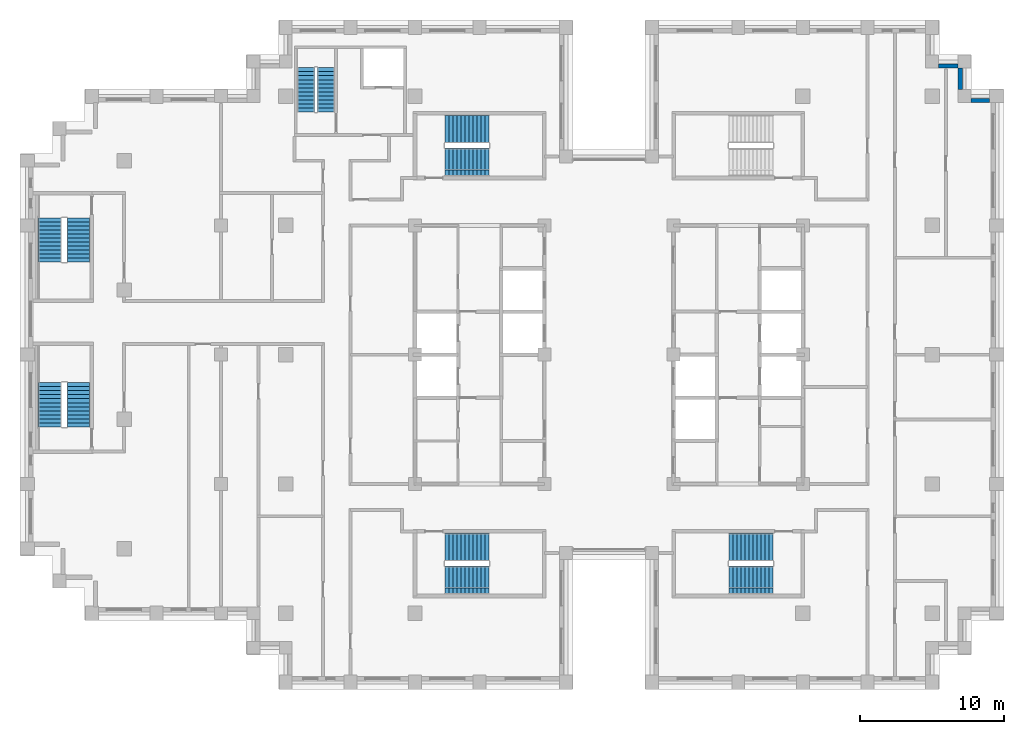
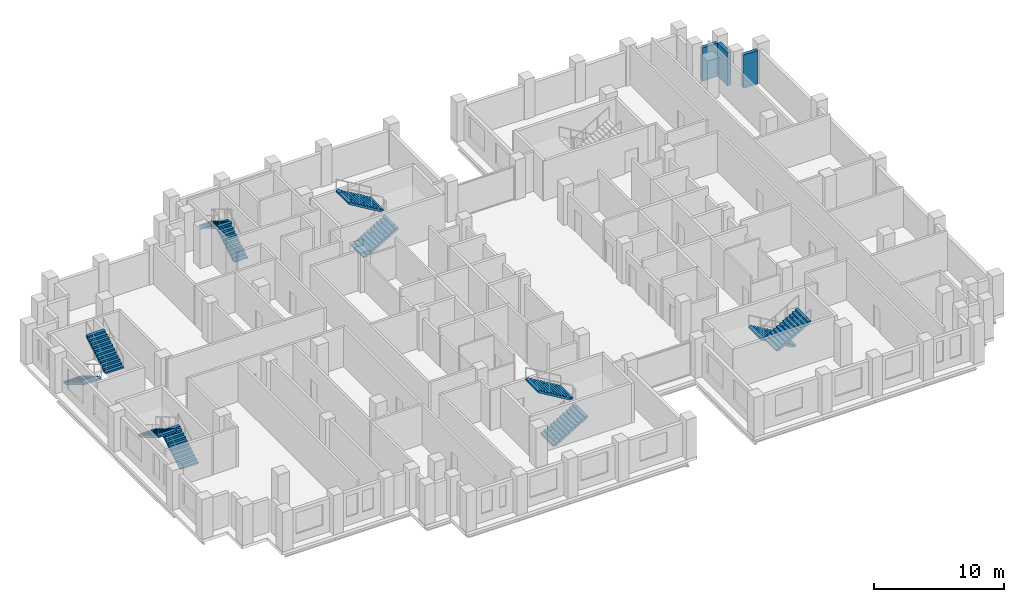
# One storey, part 12 of 15: 12 stair flights, 3 walls, 6 elements without a shape of their own.
"""IFC4 building model written with IfcOpenShell, lengths in metres."""

from ifc_helpers import new_model, si_unit, direction, frame, frame_2d, origin, place, context, subcontext, project, spatial, polyline, rectangle, outline, extrude, material, layer, layer_set, type_object, element, aggregate, save


model = new_model("IFC4")

# Units and contexts
model_context = context("Model", 3, precision=1e-05, world=origin(), true_north=direction((0.0, 1.0)))
body_context = subcontext(model_context, "Body", "Model", "MODEL_VIEW")
ifc_project = project(units=[si_unit("LENGTHUNIT", "METRE"), si_unit("AREAUNIT", "SQUARE_METRE"), si_unit("VOLUMEUNIT", "CUBIC_METRE"), si_unit("PLANEANGLEUNIT", "RADIAN"), si_unit("MASSUNIT", "GRAM", prefix="KILO")], contexts=[model_context])

# Site, building, storey
site_placement = place(None, origin())
site = spatial("IfcSite", under=ifc_project, at=site_placement, CompositionType="ELEMENT")
building_placement = place(site_placement, origin())
building = spatial("IfcBuilding", under=site, at=building_placement, Name="Corbelhall Arena Tower", CompositionType="ELEMENT")
storey_placement = place(building_placement, frame((0.0, 0.0, 196.0)))
storey = spatial("IfcBuildingStorey", under=building, at=storey_placement, Name="L40", CompositionType="ELEMENT", Elevation=196.0)

# Walls
ifc_material_1 = material(Name="Precast concrete C40/50 with granite facing", Category="masonry")
ifc_layer = layer(ifc_material_1, 0.300048828125)
ifc_layer_set = layer_set([ifc_layer], Name="EV-IW1 Infill panel 300")
wall_type = type_object("IfcWallType", Name="EV-IW1 Infill panel 300", PredefinedType="SOLIDWALL", material=ifc_layer_set)
wall_1_placement = place(storey_placement, frame((26.5, 17.699951171875, 0.0), z_axis=(0.0, 0.0, 1.0), x_axis=(-1.0, 0.0, 0.0)))
element("IfcWall", 1, at=wall_1_placement, inside=storey, type_object=wall_type, Name="Infill panel IW1", PredefinedType="SOLIDWALL", context=body_context, shape_type="SweptSolid", body=[
    extrude(rectangle(XDim=1.300048828125, YDim=0.300048828125, at=frame_2d((0.64990234375, 0.0))), origin(), (0.0, 0.0, 1.0), 3.1201171875),
])
wall_2_placement = place(storey_placement, frame((24.449951171875, 18.449951171875, 0.0), z_axis=(0.0, 0.0, 1.0), x_axis=(0.0, 1.0, 0.0)))
element("IfcWall", 2, at=wall_2_placement, inside=storey, type_object=wall_type, Name="Infill panel IW1", PredefinedType="SOLIDWALL", context=body_context, shape_type="SweptSolid", body=[
    extrude(rectangle(XDim=1.5, YDim=0.300048828125, at=frame_2d((0.75, 0.0))), origin(), (0.0, 0.0, 1.0), 3.1201171875),
])
wall_3_placement = place(storey_placement, frame((24.300048828125, 20.10009765625, 0.0), z_axis=(0.0, 0.0, 1.0), x_axis=(-1.0, 0.0, 0.0)))
element("IfcWall", 3, at=wall_3_placement, inside=storey, type_object=wall_type, Name="Infill panel IW1", PredefinedType="SOLIDWALL", context=body_context, shape_type="SweptSolid", body=[
    extrude(rectangle(XDim=1.35009765625, YDim=0.300048828125, at=frame_2d((0.675048828125, 0.0))), origin(), (0.0, 0.0, 1.0), 3.1201171875),
])

# Stair, stair flights
ifc_material_2 = material(Name="Concrete C40/50", Category="concrete")
stair_type = type_object("IfcStairType", Name="IN-ST-TOWER", PredefinedType="HALF_TURN_STAIR", material=ifc_material_2)
stair_1_placement = place(storey_placement, origin())
stair_1 = element("IfcStair", 4, at=stair_1_placement, inside=storey, type_object=stair_type, Name="L40 Exit stair ST1", PredefinedType="HALF_TURN_STAIR")
stair_flight_type = type_object("IfcStairFlightType", Name="IN-SFL-RC", PredefinedType="STRAIGHT", material=ifc_material_2)
stair_flight_1_placement = place(storey_placement, frame((-11.425048828125, 13.39990234375, 0.0), z_axis=(0.0, 0.0, 1.0), x_axis=(1.0, 0.0, 0.0)))
stair_flight_1 = element("IfcStairFlight", 5, at=stair_flight_1_placement, type_object=stair_flight_type, Name="ST1 flight 1", NumberOfRisers=12, NumberOfTreads=11, PredefinedType="STRAIGHT", RiserHeight=0.166666667, TreadLength=0.28, context=body_context, shape_type="SweptSolid", body=[
    extrude(outline(polyline([(0.0, 0.0), (0.0, 0.166748046875), (0.280029296875, 0.166748046875), (0.280029296875, 0.333251953125), (0.56005859375, 0.333251953125), (0.56005859375, 0.5), (0.840087890625, 0.5), (0.840087890625, 0.666748046875), (1.1201171875, 0.666748046875), (1.1201171875, 0.833251953125), (1.39990234375, 0.833251953125), (1.39990234375, 1.0), (1.679931640625, 1.0), (1.679931640625, 1.166748046875), (1.9599609375, 1.166748046875), (1.9599609375, 1.333251953125), (2.239990234375, 1.333251953125), (2.239990234375, 1.5), (2.52001953125, 1.5), (2.52001953125, 1.666748046875), (2.800048828125, 1.666748046875), (2.800048828125, 1.833251953125), (3.080078125, 1.833251953125), (3.080078125, 2.0), (3.080078125, 1.658935546875), (0.29296875, 0.0), (0.0, 0.0)])), frame((0.0, 0.97509765625, 0.0), z_axis=(0.0, -1.0, 0.0), x_axis=(1.0, 0.0, 0.0)), (0.0, 0.0, 1.0), 0.449951171875),
    extrude(outline(polyline([(0.0, 0.0), (0.0, 0.166748046875), (0.280029296875, 0.166748046875), (0.280029296875, 0.333251953125), (0.56005859375, 0.333251953125), (0.56005859375, 0.5), (0.840087890625, 0.5), (0.840087890625, 0.666748046875), (1.1201171875, 0.666748046875), (1.1201171875, 0.833251953125), (1.39990234375, 0.833251953125), (1.39990234375, 1.0), (1.679931640625, 1.0), (1.679931640625, 1.166748046875), (1.9599609375, 1.166748046875), (1.9599609375, 1.333251953125), (2.239990234375, 1.333251953125), (2.239990234375, 1.5), (2.52001953125, 1.5), (2.52001953125, 1.666748046875), (2.800048828125, 1.666748046875), (2.800048828125, 1.833251953125), (3.080078125, 1.833251953125), (3.080078125, 2.0), (3.080078125, 1.658935546875), (0.29296875, 0.0), (0.0, 0.0)])), frame((0.0, 0.52099609375, 0.0), z_axis=(0.0, -1.0, 0.0), x_axis=(1.0, 0.0, 0.0)), (0.0, 0.0, 1.0), 1.0419921875),
    extrude(outline(polyline([(0.0, 0.0), (0.0, 0.166748046875), (0.280029296875, 0.166748046875), (0.280029296875, 0.333251953125), (0.56005859375, 0.333251953125), (0.56005859375, 0.5), (0.840087890625, 0.5), (0.840087890625, 0.666748046875), (1.1201171875, 0.666748046875), (1.1201171875, 0.833251953125), (1.39990234375, 0.833251953125), (1.39990234375, 1.0), (1.679931640625, 1.0), (1.679931640625, 1.166748046875), (1.9599609375, 1.166748046875), (1.9599609375, 1.333251953125), (2.239990234375, 1.333251953125), (2.239990234375, 1.5), (2.52001953125, 1.5), (2.52001953125, 1.666748046875), (2.800048828125, 1.666748046875), (2.800048828125, 1.833251953125), (3.080078125, 1.833251953125), (3.080078125, 2.0), (3.080078125, 1.658935546875), (0.29296875, 0.0), (0.0, 0.0)])), frame((0.0, -0.52490234375, 0.0), z_axis=(0.0, -1.0, 0.0), x_axis=(1.0, 0.0, 0.0)), (0.0, 0.0, 1.0), 0.449951171875),
])
stair_flight_2_placement = place(storey_placement, frame((-8.344970703125, 15.699951171875, 2.0), z_axis=(0.0, 0.0, 1.0), x_axis=(-1.0, 0.0, 0.0)))
stair_flight_2 = element("IfcStairFlight", 6, at=stair_flight_2_placement, type_object=stair_flight_type, Name="ST1 flight 2", NumberOfRisers=12, NumberOfTreads=11, PredefinedType="STRAIGHT", RiserHeight=0.166666667, TreadLength=0.28, context=body_context, shape_type="SweptSolid", body=[
    extrude(outline(polyline([(0.0, 0.0), (0.0, 0.166748046875), (0.280029296875, 0.166748046875), (0.280029296875, 0.333251953125), (0.56005859375, 0.333251953125), (0.56005859375, 0.5), (0.840087890625, 0.5), (0.840087890625, 0.666748046875), (1.1201171875, 0.666748046875), (1.1201171875, 0.833251953125), (1.39990234375, 0.833251953125), (1.39990234375, 1.0), (1.679931640625, 1.0), (1.679931640625, 1.166748046875), (1.9599609375, 1.166748046875), (1.9599609375, 1.333251953125), (2.239990234375, 1.333251953125), (2.239990234375, 1.5), (2.52001953125, 1.5), (2.52001953125, 1.666748046875), (2.800048828125, 1.666748046875), (2.800048828125, 1.833251953125), (3.080078125, 1.833251953125), (3.080078125, 2.0), (3.080078125, 1.658935546875), (0.29296875, 0.0), (0.0, 0.0)])), frame((0.0, 0.97509765625, 0.0), z_axis=(0.0, -1.0, 0.0), x_axis=(1.0, 0.0, 0.0)), (0.0, 0.0, 1.0), 0.449951171875),
    extrude(outline(polyline([(0.0, 0.0), (0.0, 0.166748046875), (0.280029296875, 0.166748046875), (0.280029296875, 0.333251953125), (0.56005859375, 0.333251953125), (0.56005859375, 0.5), (0.840087890625, 0.5), (0.840087890625, 0.666748046875), (1.1201171875, 0.666748046875), (1.1201171875, 0.833251953125), (1.39990234375, 0.833251953125), (1.39990234375, 1.0), (1.679931640625, 1.0), (1.679931640625, 1.166748046875), (1.9599609375, 1.166748046875), (1.9599609375, 1.333251953125), (2.239990234375, 1.333251953125), (2.239990234375, 1.5), (2.52001953125, 1.5), (2.52001953125, 1.666748046875), (2.800048828125, 1.666748046875), (2.800048828125, 1.833251953125), (3.080078125, 1.833251953125), (3.080078125, 2.0), (3.080078125, 1.658935546875), (0.29296875, 0.0), (0.0, 0.0)])), frame((0.0, 0.52099609375, 0.0), z_axis=(0.0, -1.0, 0.0), x_axis=(1.0, 0.0, 0.0)), (0.0, 0.0, 1.0), 1.0419921875),
    extrude(outline(polyline([(0.0, 0.0), (0.0, 0.166748046875), (0.280029296875, 0.166748046875), (0.280029296875, 0.333251953125), (0.56005859375, 0.333251953125), (0.56005859375, 0.5), (0.840087890625, 0.5), (0.840087890625, 0.666748046875), (1.1201171875, 0.666748046875), (1.1201171875, 0.833251953125), (1.39990234375, 0.833251953125), (1.39990234375, 1.0), (1.679931640625, 1.0), (1.679931640625, 1.166748046875), (1.9599609375, 1.166748046875), (1.9599609375, 1.333251953125), (2.239990234375, 1.333251953125), (2.239990234375, 1.5), (2.52001953125, 1.5), (2.52001953125, 1.666748046875), (2.800048828125, 1.666748046875), (2.800048828125, 1.833251953125), (3.080078125, 1.833251953125), (3.080078125, 2.0), (3.080078125, 1.658935546875), (0.29296875, 0.0), (0.0, 0.0)])), frame((0.0, -0.52490234375, 0.0), z_axis=(0.0, -1.0, 0.0), x_axis=(1.0, 0.0, 0.0)), (0.0, 0.0, 1.0), 0.449951171875),
])
aggregate(stair_1, [stair_flight_1, stair_flight_2])

stair_2_placement = place(storey_placement, origin())
stair_2 = element("IfcStair", 7, at=stair_2_placement, inside=storey, type_object=stair_type, Name="L40 Exit stair ST2", PredefinedType="HALF_TURN_STAIR")
stair_flight_3_placement = place(storey_placement, frame((-11.425048828125, -15.699951171875, 0.0), z_axis=(0.0, 0.0, 1.0), x_axis=(1.0, 0.0, 0.0)))
stair_flight_3 = element("IfcStairFlight", 8, at=stair_flight_3_placement, type_object=stair_flight_type, Name="ST2 flight 1", NumberOfRisers=12, NumberOfTreads=11, PredefinedType="STRAIGHT", RiserHeight=0.166666667, TreadLength=0.28, context=body_context, shape_type="SweptSolid", body=[
    extrude(outline(polyline([(0.0, 0.0), (0.0, 0.166748046875), (0.280029296875, 0.166748046875), (0.280029296875, 0.333251953125), (0.56005859375, 0.333251953125), (0.56005859375, 0.5), (0.840087890625, 0.5), (0.840087890625, 0.666748046875), (1.1201171875, 0.666748046875), (1.1201171875, 0.833251953125), (1.39990234375, 0.833251953125), (1.39990234375, 1.0), (1.679931640625, 1.0), (1.679931640625, 1.166748046875), (1.9599609375, 1.166748046875), (1.9599609375, 1.333251953125), (2.239990234375, 1.333251953125), (2.239990234375, 1.5), (2.52001953125, 1.5), (2.52001953125, 1.666748046875), (2.800048828125, 1.666748046875), (2.800048828125, 1.833251953125), (3.080078125, 1.833251953125), (3.080078125, 2.0), (3.080078125, 1.658935546875), (0.29296875, 0.0), (0.0, 0.0)])), frame((0.0, 0.97509765625, 0.0), z_axis=(0.0, -1.0, 0.0), x_axis=(1.0, 0.0, 0.0)), (0.0, 0.0, 1.0), 0.449951171875),
    extrude(outline(polyline([(0.0, 0.0), (0.0, 0.166748046875), (0.280029296875, 0.166748046875), (0.280029296875, 0.333251953125), (0.56005859375, 0.333251953125), (0.56005859375, 0.5), (0.840087890625, 0.5), (0.840087890625, 0.666748046875), (1.1201171875, 0.666748046875), (1.1201171875, 0.833251953125), (1.39990234375, 0.833251953125), (1.39990234375, 1.0), (1.679931640625, 1.0), (1.679931640625, 1.166748046875), (1.9599609375, 1.166748046875), (1.9599609375, 1.333251953125), (2.239990234375, 1.333251953125), (2.239990234375, 1.5), (2.52001953125, 1.5), (2.52001953125, 1.666748046875), (2.800048828125, 1.666748046875), (2.800048828125, 1.833251953125), (3.080078125, 1.833251953125), (3.080078125, 2.0), (3.080078125, 1.658935546875), (0.29296875, 0.0), (0.0, 0.0)])), frame((0.0, 0.52099609375, 0.0), z_axis=(0.0, -1.0, 0.0), x_axis=(1.0, 0.0, 0.0)), (0.0, 0.0, 1.0), 1.0419921875),
    extrude(outline(polyline([(0.0, 0.0), (0.0, 0.166748046875), (0.280029296875, 0.166748046875), (0.280029296875, 0.333251953125), (0.56005859375, 0.333251953125), (0.56005859375, 0.5), (0.840087890625, 0.5), (0.840087890625, 0.666748046875), (1.1201171875, 0.666748046875), (1.1201171875, 0.833251953125), (1.39990234375, 0.833251953125), (1.39990234375, 1.0), (1.679931640625, 1.0), (1.679931640625, 1.166748046875), (1.9599609375, 1.166748046875), (1.9599609375, 1.333251953125), (2.239990234375, 1.333251953125), (2.239990234375, 1.5), (2.52001953125, 1.5), (2.52001953125, 1.666748046875), (2.800048828125, 1.666748046875), (2.800048828125, 1.833251953125), (3.080078125, 1.833251953125), (3.080078125, 2.0), (3.080078125, 1.658935546875), (0.29296875, 0.0), (0.0, 0.0)])), frame((0.0, -0.52490234375, 0.0), z_axis=(0.0, -1.0, 0.0), x_axis=(1.0, 0.0, 0.0)), (0.0, 0.0, 1.0), 0.449951171875),
])
stair_flight_4_placement = place(storey_placement, frame((-8.344970703125, -13.39990234375, 2.0), z_axis=(0.0, 0.0, 1.0), x_axis=(-1.0, 0.0, 0.0)))
stair_flight_4 = element("IfcStairFlight", 9, at=stair_flight_4_placement, type_object=stair_flight_type, Name="ST2 flight 2", NumberOfRisers=12, NumberOfTreads=11, PredefinedType="STRAIGHT", RiserHeight=0.166666667, TreadLength=0.28, context=body_context, shape_type="SweptSolid", body=[
    extrude(outline(polyline([(0.0, 0.0), (0.0, 0.166748046875), (0.280029296875, 0.166748046875), (0.280029296875, 0.333251953125), (0.56005859375, 0.333251953125), (0.56005859375, 0.5), (0.840087890625, 0.5), (0.840087890625, 0.666748046875), (1.1201171875, 0.666748046875), (1.1201171875, 0.833251953125), (1.39990234375, 0.833251953125), (1.39990234375, 1.0), (1.679931640625, 1.0), (1.679931640625, 1.166748046875), (1.9599609375, 1.166748046875), (1.9599609375, 1.333251953125), (2.239990234375, 1.333251953125), (2.239990234375, 1.5), (2.52001953125, 1.5), (2.52001953125, 1.666748046875), (2.800048828125, 1.666748046875), (2.800048828125, 1.833251953125), (3.080078125, 1.833251953125), (3.080078125, 2.0), (3.080078125, 1.658935546875), (0.29296875, 0.0), (0.0, 0.0)])), frame((0.0, 0.97509765625, 0.0), z_axis=(0.0, -1.0, 0.0), x_axis=(1.0, 0.0, 0.0)), (0.0, 0.0, 1.0), 0.449951171875),
    extrude(outline(polyline([(0.0, 0.0), (0.0, 0.166748046875), (0.280029296875, 0.166748046875), (0.280029296875, 0.333251953125), (0.56005859375, 0.333251953125), (0.56005859375, 0.5), (0.840087890625, 0.5), (0.840087890625, 0.666748046875), (1.1201171875, 0.666748046875), (1.1201171875, 0.833251953125), (1.39990234375, 0.833251953125), (1.39990234375, 1.0), (1.679931640625, 1.0), (1.679931640625, 1.166748046875), (1.9599609375, 1.166748046875), (1.9599609375, 1.333251953125), (2.239990234375, 1.333251953125), (2.239990234375, 1.5), (2.52001953125, 1.5), (2.52001953125, 1.666748046875), (2.800048828125, 1.666748046875), (2.800048828125, 1.833251953125), (3.080078125, 1.833251953125), (3.080078125, 2.0), (3.080078125, 1.658935546875), (0.29296875, 0.0), (0.0, 0.0)])), frame((0.0, 0.52099609375, 0.0), z_axis=(0.0, -1.0, 0.0), x_axis=(1.0, 0.0, 0.0)), (0.0, 0.0, 1.0), 1.0419921875),
    extrude(outline(polyline([(0.0, 0.0), (0.0, 0.166748046875), (0.280029296875, 0.166748046875), (0.280029296875, 0.333251953125), (0.56005859375, 0.333251953125), (0.56005859375, 0.5), (0.840087890625, 0.5), (0.840087890625, 0.666748046875), (1.1201171875, 0.666748046875), (1.1201171875, 0.833251953125), (1.39990234375, 0.833251953125), (1.39990234375, 1.0), (1.679931640625, 1.0), (1.679931640625, 1.166748046875), (1.9599609375, 1.166748046875), (1.9599609375, 1.333251953125), (2.239990234375, 1.333251953125), (2.239990234375, 1.5), (2.52001953125, 1.5), (2.52001953125, 1.666748046875), (2.800048828125, 1.666748046875), (2.800048828125, 1.833251953125), (3.080078125, 1.833251953125), (3.080078125, 2.0), (3.080078125, 1.658935546875), (0.29296875, 0.0), (0.0, 0.0)])), frame((0.0, -0.52490234375, 0.0), z_axis=(0.0, -1.0, 0.0), x_axis=(1.0, 0.0, 0.0)), (0.0, 0.0, 1.0), 0.449951171875),
])
aggregate(stair_2, [stair_flight_3, stair_flight_4])

stair_3_placement = place(storey_placement, origin())
stair_3 = element("IfcStair", 10, at=stair_3_placement, inside=storey, type_object=stair_type, Name="L40 Exit stair ST4", PredefinedType="HALF_TURN_STAIR")
stair_flight_5_placement = place(storey_placement, frame((11.425048828125, -13.39990234375, 0.0), z_axis=(0.0, 0.0, 1.0), x_axis=(-1.0, 0.0, 0.0)))
stair_flight_5 = element("IfcStairFlight", 11, at=stair_flight_5_placement, type_object=stair_flight_type, Name="ST4 flight 1", NumberOfRisers=12, NumberOfTreads=11, PredefinedType="STRAIGHT", RiserHeight=0.166666667, TreadLength=0.28, context=body_context, shape_type="SweptSolid", body=[
    extrude(outline(polyline([(0.0, 0.0), (0.0, 0.166748046875), (0.280029296875, 0.166748046875), (0.280029296875, 0.333251953125), (0.56005859375, 0.333251953125), (0.56005859375, 0.5), (0.840087890625, 0.5), (0.840087890625, 0.666748046875), (1.1201171875, 0.666748046875), (1.1201171875, 0.833251953125), (1.39990234375, 0.833251953125), (1.39990234375, 1.0), (1.679931640625, 1.0), (1.679931640625, 1.166748046875), (1.9599609375, 1.166748046875), (1.9599609375, 1.333251953125), (2.239990234375, 1.333251953125), (2.239990234375, 1.5), (2.52001953125, 1.5), (2.52001953125, 1.666748046875), (2.800048828125, 1.666748046875), (2.800048828125, 1.833251953125), (3.080078125, 1.833251953125), (3.080078125, 2.0), (3.080078125, 1.658935546875), (0.29296875, 0.0), (0.0, 0.0)])), frame((0.0, 0.97509765625, 0.0), z_axis=(0.0, -1.0, 0.0), x_axis=(1.0, 0.0, 0.0)), (0.0, 0.0, 1.0), 0.449951171875),
    extrude(outline(polyline([(0.0, 0.0), (0.0, 0.166748046875), (0.280029296875, 0.166748046875), (0.280029296875, 0.333251953125), (0.56005859375, 0.333251953125), (0.56005859375, 0.5), (0.840087890625, 0.5), (0.840087890625, 0.666748046875), (1.1201171875, 0.666748046875), (1.1201171875, 0.833251953125), (1.39990234375, 0.833251953125), (1.39990234375, 1.0), (1.679931640625, 1.0), (1.679931640625, 1.166748046875), (1.9599609375, 1.166748046875), (1.9599609375, 1.333251953125), (2.239990234375, 1.333251953125), (2.239990234375, 1.5), (2.52001953125, 1.5), (2.52001953125, 1.666748046875), (2.800048828125, 1.666748046875), (2.800048828125, 1.833251953125), (3.080078125, 1.833251953125), (3.080078125, 2.0), (3.080078125, 1.658935546875), (0.29296875, 0.0), (0.0, 0.0)])), frame((0.0, 0.52099609375, 0.0), z_axis=(0.0, -1.0, 0.0), x_axis=(1.0, 0.0, 0.0)), (0.0, 0.0, 1.0), 1.0419921875),
    extrude(outline(polyline([(0.0, 0.0), (0.0, 0.166748046875), (0.280029296875, 0.166748046875), (0.280029296875, 0.333251953125), (0.56005859375, 0.333251953125), (0.56005859375, 0.5), (0.840087890625, 0.5), (0.840087890625, 0.666748046875), (1.1201171875, 0.666748046875), (1.1201171875, 0.833251953125), (1.39990234375, 0.833251953125), (1.39990234375, 1.0), (1.679931640625, 1.0), (1.679931640625, 1.166748046875), (1.9599609375, 1.166748046875), (1.9599609375, 1.333251953125), (2.239990234375, 1.333251953125), (2.239990234375, 1.5), (2.52001953125, 1.5), (2.52001953125, 1.666748046875), (2.800048828125, 1.666748046875), (2.800048828125, 1.833251953125), (3.080078125, 1.833251953125), (3.080078125, 2.0), (3.080078125, 1.658935546875), (0.29296875, 0.0), (0.0, 0.0)])), frame((0.0, -0.52490234375, 0.0), z_axis=(0.0, -1.0, 0.0), x_axis=(1.0, 0.0, 0.0)), (0.0, 0.0, 1.0), 0.449951171875),
])
stair_flight_6_placement = place(storey_placement, frame((8.344970703125, -15.699951171875, 2.0), z_axis=(0.0, 0.0, 1.0), x_axis=(1.0, 0.0, 0.0)))
stair_flight_6 = element("IfcStairFlight", 12, at=stair_flight_6_placement, type_object=stair_flight_type, Name="ST4 flight 2", NumberOfRisers=12, NumberOfTreads=11, PredefinedType="STRAIGHT", RiserHeight=0.166666667, TreadLength=0.28, context=body_context, shape_type="SweptSolid", body=[
    extrude(outline(polyline([(0.0, 0.0), (0.0, 0.166748046875), (0.280029296875, 0.166748046875), (0.280029296875, 0.333251953125), (0.56005859375, 0.333251953125), (0.56005859375, 0.5), (0.840087890625, 0.5), (0.840087890625, 0.666748046875), (1.1201171875, 0.666748046875), (1.1201171875, 0.833251953125), (1.39990234375, 0.833251953125), (1.39990234375, 1.0), (1.679931640625, 1.0), (1.679931640625, 1.166748046875), (1.9599609375, 1.166748046875), (1.9599609375, 1.333251953125), (2.239990234375, 1.333251953125), (2.239990234375, 1.5), (2.52001953125, 1.5), (2.52001953125, 1.666748046875), (2.800048828125, 1.666748046875), (2.800048828125, 1.833251953125), (3.080078125, 1.833251953125), (3.080078125, 2.0), (3.080078125, 1.658935546875), (0.29296875, 0.0), (0.0, 0.0)])), frame((0.0, 0.97509765625, 0.0), z_axis=(0.0, -1.0, 0.0), x_axis=(1.0, 0.0, 0.0)), (0.0, 0.0, 1.0), 0.449951171875),
    extrude(outline(polyline([(0.0, 0.0), (0.0, 0.166748046875), (0.280029296875, 0.166748046875), (0.280029296875, 0.333251953125), (0.56005859375, 0.333251953125), (0.56005859375, 0.5), (0.840087890625, 0.5), (0.840087890625, 0.666748046875), (1.1201171875, 0.666748046875), (1.1201171875, 0.833251953125), (1.39990234375, 0.833251953125), (1.39990234375, 1.0), (1.679931640625, 1.0), (1.679931640625, 1.166748046875), (1.9599609375, 1.166748046875), (1.9599609375, 1.333251953125), (2.239990234375, 1.333251953125), (2.239990234375, 1.5), (2.52001953125, 1.5), (2.52001953125, 1.666748046875), (2.800048828125, 1.666748046875), (2.800048828125, 1.833251953125), (3.080078125, 1.833251953125), (3.080078125, 2.0), (3.080078125, 1.658935546875), (0.29296875, 0.0), (0.0, 0.0)])), frame((0.0, 0.52099609375, 0.0), z_axis=(0.0, -1.0, 0.0), x_axis=(1.0, 0.0, 0.0)), (0.0, 0.0, 1.0), 1.0419921875),
    extrude(outline(polyline([(0.0, 0.0), (0.0, 0.166748046875), (0.280029296875, 0.166748046875), (0.280029296875, 0.333251953125), (0.56005859375, 0.333251953125), (0.56005859375, 0.5), (0.840087890625, 0.5), (0.840087890625, 0.666748046875), (1.1201171875, 0.666748046875), (1.1201171875, 0.833251953125), (1.39990234375, 0.833251953125), (1.39990234375, 1.0), (1.679931640625, 1.0), (1.679931640625, 1.166748046875), (1.9599609375, 1.166748046875), (1.9599609375, 1.333251953125), (2.239990234375, 1.333251953125), (2.239990234375, 1.5), (2.52001953125, 1.5), (2.52001953125, 1.666748046875), (2.800048828125, 1.666748046875), (2.800048828125, 1.833251953125), (3.080078125, 1.833251953125), (3.080078125, 2.0), (3.080078125, 1.658935546875), (0.29296875, 0.0), (0.0, 0.0)])), frame((0.0, -0.52490234375, 0.0), z_axis=(0.0, -1.0, 0.0), x_axis=(1.0, 0.0, 0.0)), (0.0, 0.0, 1.0), 0.449951171875),
])
aggregate(stair_3, [stair_flight_5, stair_flight_6])

stair_4_placement = place(storey_placement, origin())
stair_4 = element("IfcStair", 13, at=stair_4_placement, inside=storey, type_object=stair_type, Name="L40 Exit stair SC1", PredefinedType="HALF_TURN_STAIR")
stair_flight_7_placement = place(storey_placement, frame((-38.89990234375, 9.52490234375, 0.0), z_axis=(0.0, 0.0, 1.0), x_axis=(0.0, -1.0, 0.0)))
stair_flight_7 = element("IfcStairFlight", 14, at=stair_flight_7_placement, type_object=stair_flight_type, Name="SC1 flight 1", NumberOfRisers=12, NumberOfTreads=11, PredefinedType="STRAIGHT", RiserHeight=0.166666667, TreadLength=0.28, context=body_context, shape_type="SweptSolid", body=[
    extrude(outline(polyline([(0.0, 0.0), (0.0, 0.166748046875), (0.280029296875, 0.166748046875), (0.280029296875, 0.333251953125), (0.56005859375, 0.333251953125), (0.56005859375, 0.5), (0.840087890625, 0.5), (0.840087890625, 0.666748046875), (1.1201171875, 0.666748046875), (1.1201171875, 0.833251953125), (1.39990234375, 0.833251953125), (1.39990234375, 1.0), (1.679931640625, 1.0), (1.679931640625, 1.166748046875), (1.9599609375, 1.166748046875), (1.9599609375, 1.333251953125), (2.239990234375, 1.333251953125), (2.239990234375, 1.5), (2.52001953125, 1.5), (2.52001953125, 1.666748046875), (2.800048828125, 1.666748046875), (2.800048828125, 1.833251953125), (3.080078125, 1.833251953125), (3.080078125, 2.0), (3.080078125, 1.658935546875), (0.29296875, 0.0), (0.0, 0.0)])), frame((0.0, 0.800048828125, 0.0), z_axis=(0.0, -1.0, 0.0), x_axis=(1.0, 0.0, 0.0)), (0.0, 0.0, 1.0), 1.60009765625),
])
stair_flight_8_placement = place(storey_placement, frame((-36.925048828125, 6.445068359375, 2.0), z_axis=(0.0, 0.0, 1.0), x_axis=(0.0, 1.0, 0.0)))
stair_flight_8 = element("IfcStairFlight", 15, at=stair_flight_8_placement, type_object=stair_flight_type, Name="SC1 flight 2", NumberOfRisers=12, NumberOfTreads=11, PredefinedType="STRAIGHT", RiserHeight=0.166666667, TreadLength=0.28, context=body_context, shape_type="SweptSolid", body=[
    extrude(outline(polyline([(0.0, 0.0), (0.0, 0.166748046875), (0.280029296875, 0.166748046875), (0.280029296875, 0.333251953125), (0.56005859375, 0.333251953125), (0.56005859375, 0.5), (0.840087890625, 0.5), (0.840087890625, 0.666748046875), (1.1201171875, 0.666748046875), (1.1201171875, 0.833251953125), (1.39990234375, 0.833251953125), (1.39990234375, 1.0), (1.679931640625, 1.0), (1.679931640625, 1.166748046875), (1.9599609375, 1.166748046875), (1.9599609375, 1.333251953125), (2.239990234375, 1.333251953125), (2.239990234375, 1.5), (2.52001953125, 1.5), (2.52001953125, 1.666748046875), (2.800048828125, 1.666748046875), (2.800048828125, 1.833251953125), (3.080078125, 1.833251953125), (3.080078125, 2.0), (3.080078125, 1.658935546875), (0.29296875, 0.0), (0.0, 0.0)])), frame((0.0, 0.800048828125, 0.0), z_axis=(0.0, -1.0, 0.0), x_axis=(1.0, 0.0, 0.0)), (0.0, 0.0, 1.0), 1.60009765625),
])
aggregate(stair_4, [stair_flight_7, stair_flight_8])

stair_5_placement = place(storey_placement, origin())
stair_5 = element("IfcStair", 16, at=stair_5_placement, inside=storey, type_object=stair_type, Name="L40 Exit stair SC2", PredefinedType="HALF_TURN_STAIR")
stair_flight_9_placement = place(storey_placement, frame((-36.925048828125, -5.02490234375, 0.0), z_axis=(0.0, 0.0, 1.0), x_axis=(0.0, 1.0, 0.0)))
stair_flight_9 = element("IfcStairFlight", 17, at=stair_flight_9_placement, type_object=stair_flight_type, Name="SC2 flight 1", NumberOfRisers=12, NumberOfTreads=11, PredefinedType="STRAIGHT", RiserHeight=0.166666667, TreadLength=0.28, context=body_context, shape_type="SweptSolid", body=[
    extrude(outline(polyline([(0.0, 0.0), (0.0, 0.166748046875), (0.280029296875, 0.166748046875), (0.280029296875, 0.333251953125), (0.56005859375, 0.333251953125), (0.56005859375, 0.5), (0.840087890625, 0.5), (0.840087890625, 0.666748046875), (1.1201171875, 0.666748046875), (1.1201171875, 0.833251953125), (1.39990234375, 0.833251953125), (1.39990234375, 1.0), (1.679931640625, 1.0), (1.679931640625, 1.166748046875), (1.9599609375, 1.166748046875), (1.9599609375, 1.333251953125), (2.239990234375, 1.333251953125), (2.239990234375, 1.5), (2.52001953125, 1.5), (2.52001953125, 1.666748046875), (2.800048828125, 1.666748046875), (2.800048828125, 1.833251953125), (3.080078125, 1.833251953125), (3.080078125, 2.0), (3.080078125, 1.658935546875), (0.29296875, 0.0), (0.0, 0.0)])), frame((0.0, 0.800048828125, 0.0), z_axis=(0.0, -1.0, 0.0), x_axis=(1.0, 0.0, 0.0)), (0.0, 0.0, 1.0), 1.60009765625),
])
stair_flight_10_placement = place(storey_placement, frame((-38.89990234375, -1.945068359375, 2.0), z_axis=(0.0, 0.0, 1.0), x_axis=(0.0, -1.0, 0.0)))
stair_flight_10 = element("IfcStairFlight", 18, at=stair_flight_10_placement, type_object=stair_flight_type, Name="SC2 flight 2", NumberOfRisers=12, NumberOfTreads=11, PredefinedType="STRAIGHT", RiserHeight=0.166666667, TreadLength=0.28, context=body_context, shape_type="SweptSolid", body=[
    extrude(outline(polyline([(0.0, 0.0), (0.0, 0.166748046875), (0.280029296875, 0.166748046875), (0.280029296875, 0.333251953125), (0.56005859375, 0.333251953125), (0.56005859375, 0.5), (0.840087890625, 0.5), (0.840087890625, 0.666748046875), (1.1201171875, 0.666748046875), (1.1201171875, 0.833251953125), (1.39990234375, 0.833251953125), (1.39990234375, 1.0), (1.679931640625, 1.0), (1.679931640625, 1.166748046875), (1.9599609375, 1.166748046875), (1.9599609375, 1.333251953125), (2.239990234375, 1.333251953125), (2.239990234375, 1.5), (2.52001953125, 1.5), (2.52001953125, 1.666748046875), (2.800048828125, 1.666748046875), (2.800048828125, 1.833251953125), (3.080078125, 1.833251953125), (3.080078125, 2.0), (3.080078125, 1.658935546875), (0.29296875, 0.0), (0.0, 0.0)])), frame((0.0, 0.800048828125, 0.0), z_axis=(0.0, -1.0, 0.0), x_axis=(1.0, 0.0, 0.0)), (0.0, 0.0, 1.0), 1.60009765625),
])
aggregate(stair_5, [stair_flight_9, stair_flight_10])

stair_6_placement = place(storey_placement, origin())
stair_6 = element("IfcStair", 19, at=stair_6_placement, inside=storey, type_object=stair_type, Name="L40 Exit stair ST5", PredefinedType="HALF_TURN_STAIR")
stair_flight_11_placement = place(storey_placement, frame((-19.695068359375, 16.89990234375, 0.0), z_axis=(0.0, 0.0, 1.0), x_axis=(0.0, 1.0, 0.0)))
stair_flight_11 = element("IfcStairFlight", 20, at=stair_flight_11_placement, type_object=stair_flight_type, Name="ST5 flight 1", NumberOfRisers=12, NumberOfTreads=11, PredefinedType="STRAIGHT", RiserHeight=0.166666667, TreadLength=0.28, context=body_context, shape_type="SweptSolid", body=[
    extrude(outline(polyline([(0.0, 0.0), (0.0, 0.166748046875), (0.280029296875, 0.166748046875), (0.280029296875, 0.333251953125), (0.56005859375, 0.333251953125), (0.56005859375, 0.5), (0.840087890625, 0.5), (0.840087890625, 0.666748046875), (1.1201171875, 0.666748046875), (1.1201171875, 0.833251953125), (1.39990234375, 0.833251953125), (1.39990234375, 1.0), (1.679931640625, 1.0), (1.679931640625, 1.166748046875), (1.9599609375, 1.166748046875), (1.9599609375, 1.333251953125), (2.239990234375, 1.333251953125), (2.239990234375, 1.5), (2.52001953125, 1.5), (2.52001953125, 1.666748046875), (2.800048828125, 1.666748046875), (2.800048828125, 1.833251953125), (3.080078125, 1.833251953125), (3.080078125, 2.0), (3.080078125, 1.658935546875), (0.29296875, 0.0), (0.0, 0.0)])), frame((0.0, 0.60009765625, 0.0), z_axis=(0.0, -1.0, 0.0), x_axis=(1.0, 0.0, 0.0)), (0.0, 0.0, 1.0), 1.199951171875),
])
stair_flight_12_placement = place(storey_placement, frame((-21.094970703125, 19.97998046875, 2.0), z_axis=(0.0, 0.0, 1.0), x_axis=(0.0, -1.0, 0.0)))
stair_flight_12 = element("IfcStairFlight", 21, at=stair_flight_12_placement, type_object=stair_flight_type, Name="ST5 flight 2", NumberOfRisers=12, NumberOfTreads=11, PredefinedType="STRAIGHT", RiserHeight=0.166666667, TreadLength=0.28, context=body_context, shape_type="SweptSolid", body=[
    extrude(outline(polyline([(0.0, 0.0), (0.0, 0.166748046875), (0.280029296875, 0.166748046875), (0.280029296875, 0.333251953125), (0.56005859375, 0.333251953125), (0.56005859375, 0.5), (0.840087890625, 0.5), (0.840087890625, 0.666748046875), (1.1201171875, 0.666748046875), (1.1201171875, 0.833251953125), (1.39990234375, 0.833251953125), (1.39990234375, 1.0), (1.679931640625, 1.0), (1.679931640625, 1.166748046875), (1.9599609375, 1.166748046875), (1.9599609375, 1.333251953125), (2.239990234375, 1.333251953125), (2.239990234375, 1.5), (2.52001953125, 1.5), (2.52001953125, 1.666748046875), (2.800048828125, 1.666748046875), (2.800048828125, 1.833251953125), (3.080078125, 1.833251953125), (3.080078125, 2.0), (3.080078125, 1.658935546875), (0.29296875, 0.0), (0.0, 0.0)])), frame((0.0, 0.60009765625, 0.0), z_axis=(0.0, -1.0, 0.0), x_axis=(1.0, 0.0, 0.0)), (0.0, 0.0, 1.0), 1.199951171875),
])
aggregate(stair_6, [stair_flight_11, stair_flight_12])

save(model, "model.ifc")
